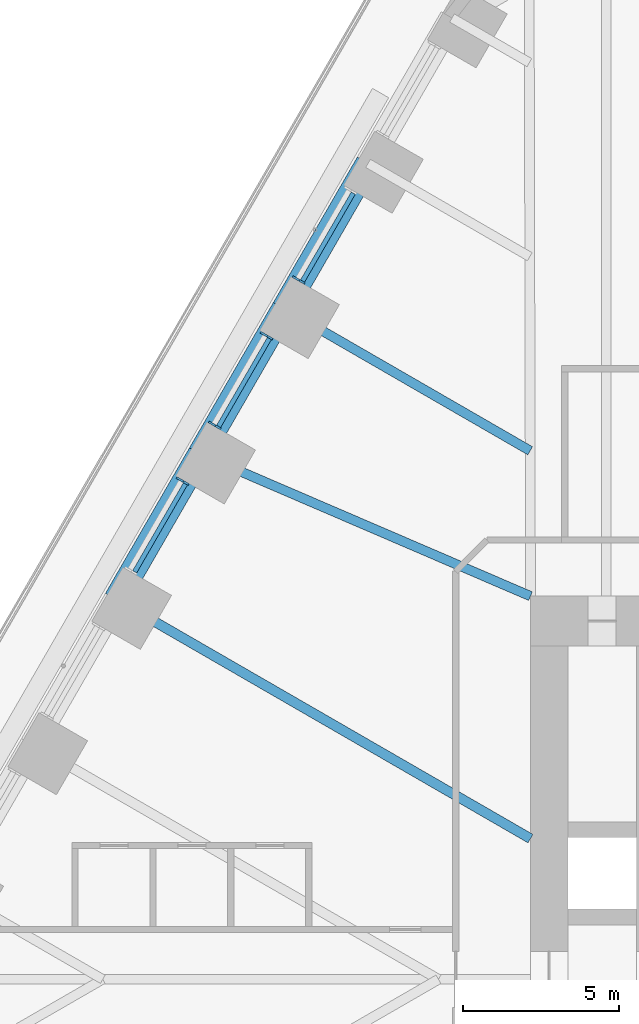
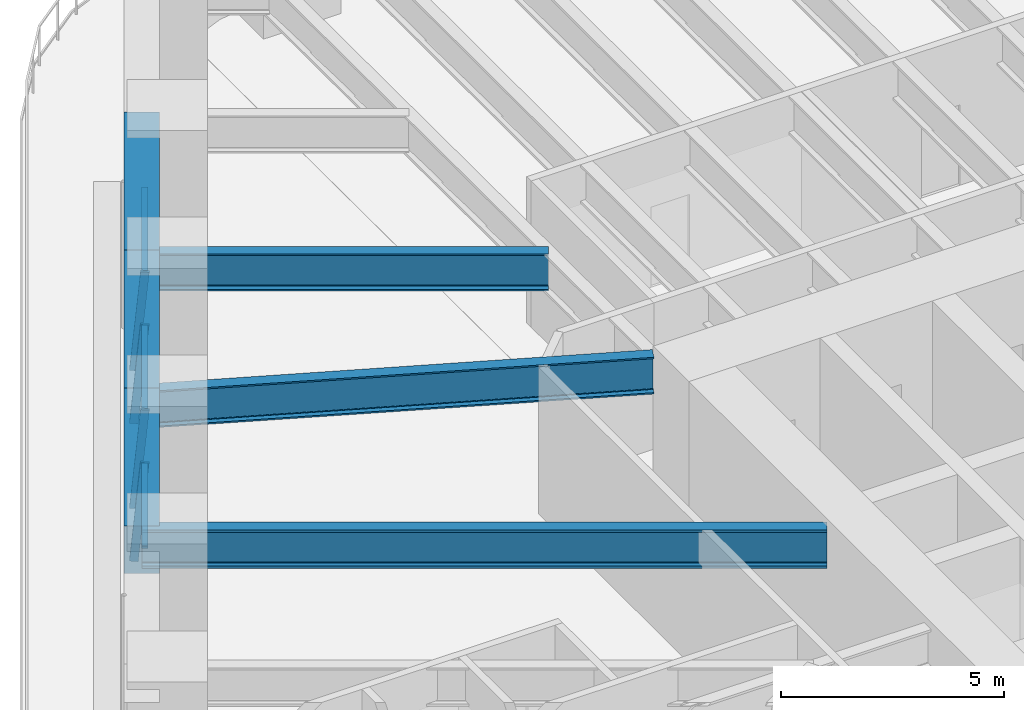
# One storey, part 8 of 23: 7 members, 6 beams, 3 elements without a shape of their own.
"""IFC4 building model written with IfcOpenShell, lengths in metres."""

from ifc_helpers import new_model, si_unit, direction, frame, origin, origin_2d, place, context, subcontext, project, spatial, rectangle, i_section, extrude, material, material_profile, profile_set, type_object, element, aggregate, save


model = new_model("IFC4")

# Units and contexts
model_context = context("Model", 3, precision=1e-05, world=origin(), true_north=direction((0.0, 1.0)))
body_context = subcontext(model_context, "Body", "Model", "MODEL_VIEW")
ifc_project = project(units=[si_unit("LENGTHUNIT", "METRE"), si_unit("AREAUNIT", "SQUARE_METRE"), si_unit("VOLUMEUNIT", "CUBIC_METRE"), si_unit("PLANEANGLEUNIT", "RADIAN"), si_unit("MASSUNIT", "GRAM", prefix="KILO")], contexts=[model_context])

# Site, building, storey
site_placement = place(None, origin())
site = spatial("IfcSite", under=ifc_project, at=site_placement, CompositionType="ELEMENT")
building_placement = place(site_placement, origin())
building = spatial("IfcBuilding", under=site, at=building_placement, Name="Tarfa Lantern Tower", CompositionType="ELEMENT")
storey_placement = place(building_placement, frame((0.0, 0.0, 57.10009765625)))
storey = spatial("IfcBuildingStorey", under=building, at=storey_placement, Name="L12", CompositionType="ELEMENT", Elevation=57.10009765625)

# Curtain wall, member
ifc_material_1 = material(Name="Aluminium framed curtain wall", Category="aluminium")
curtain_wall_type = type_object("IfcCurtainWallType", Name="CW1 CANTED GLAZING LOW ZONE 2700", PredefinedType="USERDEFINED", material=ifc_material_1)
curtain_wall_1_placement = place(storey_placement, origin())
curtain_wall_1 = element("IfcCurtainWall", 1, at=curtain_wall_1_placement, inside=storey, type_object=curtain_wall_type, Name="CW1 NW L12", ObjectType="CURTAIN WALL", PredefinedType="USERDEFINED")
ifc_material_2 = material(Name="Aluminium mullion", Category="aluminium")
ifc_material_profile_1 = material_profile(ifc_material_2, rectangle(XDim=0.06494140625, YDim=0.199951171875, at=origin_2d()), Name="AL MULLION 65x200")
ifc_profile_set_1 = profile_set([ifc_material_profile_1], Name="Aluminium mullion")
member_type_1 = type_object("IfcMemberType", Name="CWM1 MULLION 65x200", PredefinedType="MULLION", material=ifc_profile_set_1)
member_1_placement = place(storey_placement, frame((-26.147705078125, 22.5107421875, 0.0), z_axis=(0.07986442134, -0.046099868913, 0.99573916077), x_axis=(0.499919672301, 0.866071776036, 0.0)))
member_1 = element("IfcMember", 2, at=member_1_placement, type_object=member_type_1, Name="CW1 mullion 2", PredefinedType="MULLION", context=body_context, shape_type="SweptSolid", body=[
    extrude(rectangle(XDim=0.06494140625, YDim=0.199951171875, at=origin_2d()), origin(), (0.0, 0.0, 1.0), 2.71142578125),
])

# Curtain wall, members
curtain_wall_2_placement = place(storey_placement, origin())
curtain_wall_2 = element("IfcCurtainWall", 3, at=curtain_wall_2_placement, inside=storey, type_object=curtain_wall_type, Name="CW1 NW L12", ObjectType="CURTAIN WALL", PredefinedType="USERDEFINED")
member_2_placement = place(storey_placement, frame((-27.18017578125, 20.722412109375, 0.0), z_axis=(0.07986442134, -0.046099868913, 0.99573916077), x_axis=(0.499919672301, 0.866071776036, 0.0)))
member_2 = element("IfcMember", 4, at=member_2_placement, type_object=member_type_1, Name="CW1 mullion 1", PredefinedType="MULLION", context=body_context, shape_type="SweptSolid", body=[
    extrude(rectangle(XDim=0.06494140625, YDim=0.199951171875, at=origin_2d()), origin(), (0.0, 0.0, 1.0), 2.71142578125),
])
member_3_placement = place(storey_placement, frame((-28.842041015625, 17.84423828125, 0.0), z_axis=(0.07986442134, -0.046099868913, 0.99573916077), x_axis=(0.499919672301, 0.866071776036, 0.0)))
member_3 = element("IfcMember", 5, at=member_3_placement, type_object=member_type_1, Name="CW1 mullion 2", PredefinedType="MULLION", context=body_context, shape_type="SweptSolid", body=[
    extrude(rectangle(XDim=0.06494140625, YDim=0.199951171875, at=origin_2d()), origin(), (0.0, 0.0, 1.0), 2.71142578125),
])

# Curtain wall, member
curtain_wall_3_placement = place(storey_placement, origin())
curtain_wall_3 = element("IfcCurtainWall", 6, at=curtain_wall_3_placement, inside=storey, type_object=curtain_wall_type, Name="CW1 NW L12", ObjectType="CURTAIN WALL", PredefinedType="USERDEFINED")
member_4_placement = place(storey_placement, frame((-29.87451171875, 16.055908203125, 0.0), z_axis=(0.07986442134, -0.046099868913, 0.99573916077), x_axis=(0.499919672301, 0.866071776036, 0.0)))
member_4 = element("IfcMember", 7, at=member_4_placement, type_object=member_type_1, Name="CW1 mullion 1", PredefinedType="MULLION", context=body_context, shape_type="SweptSolid", body=[
    extrude(rectangle(XDim=0.06494140625, YDim=0.199951171875, at=origin_2d()), origin(), (0.0, 0.0, 1.0), 2.71142578125),
])

# Member
ifc_material_3 = material(Name="Aluminium transom", Category="aluminium")
ifc_material_profile_2 = material_profile(ifc_material_3, rectangle(XDim=0.14990234375, YDim=0.06494140625, at=origin_2d()), Name="AL TRANSOM 150x65")
ifc_profile_set_2 = profile_set([ifc_material_profile_2], Name="Aluminium transom")
member_type_2 = type_object("IfcMemberType", Name="CWT1 TRANSOM 150x65", PredefinedType="USERDEFINED", material=ifc_profile_set_2)
member_5_placement = place(storey_placement, frame((-24.288330078125, 25.237548828125, 2.66748046875), z_axis=(-0.499966746847, -0.86604460165, 0.0), x_axis=(0.86604460165, -0.499966746847, 0.0)))
member_5 = element("IfcMember", 8, at=member_5_placement, type_object=member_type_2, Name="CW1 transom 1.2", ObjectType="TRANSOM", PredefinedType="USERDEFINED", context=body_context, shape_type="SweptSolid", body=[
    extrude(rectangle(XDim=0.14990234375, YDim=0.06494140625, at=origin_2d()), origin(), (0.0, 0.0, 1.0), 3.258544921875),
])

aggregate(curtain_wall_1, [member_1, member_5])

member_6_placement = place(storey_placement, frame((-26.982666015625, 20.57080078125, 2.66748046875), z_axis=(-0.499966746847, -0.86604460165, 0.0), x_axis=(0.86604460165, -0.499966746847, 0.0)))
member_6 = element("IfcMember", 9, at=member_6_placement, type_object=member_type_2, Name="CW1 transom 1.2", ObjectType="TRANSOM", PredefinedType="USERDEFINED", context=body_context, shape_type="SweptSolid", body=[
    extrude(rectangle(XDim=0.14990234375, YDim=0.06494140625, at=origin_2d()), origin(), (0.0, 0.0, 1.0), 3.258544921875),
])

aggregate(curtain_wall_2, [member_2, member_3, member_6])

member_7_placement = place(storey_placement, frame((-29.6767578125, 15.904296875, 2.66748046875), z_axis=(-0.500022939057, -0.866012159509, 0.0), x_axis=(0.866012159509, -0.500022939057, 0.0)))
member_7 = element("IfcMember", 10, at=member_7_placement, type_object=member_type_2, Name="CW1 transom 1.2", ObjectType="TRANSOM", PredefinedType="USERDEFINED", context=body_context, shape_type="SweptSolid", body=[
    extrude(rectangle(XDim=0.14990234375, YDim=0.06494140625, at=origin_2d()), origin(), (0.0, 0.0, 1.0), 3.258544921875),
])

aggregate(curtain_wall_3, [member_4, member_7])

# Beams
ifc_material_4 = material(Name="Concrete C80/95", Category="concrete")
ifc_material_profile_3 = material_profile(ifc_material_4, rectangle(XDim=0.800048828125, YDim=1.300048828125, at=origin_2d()), Name="RC 800x1300")
ifc_profile_set_3 = profile_set([ifc_material_profile_3], Name="Concrete C80/95")
beam_type_1 = type_object("IfcBeamType", Name="EB1 RC 800x1300", PredefinedType="SPANDREL", material=ifc_profile_set_3)
beam_1_placement = place(storey_placement, frame((-23.813720703125, 26.193359375, 3.349853515625), z_axis=(-0.499998287579, -0.866026392449, 0.0), x_axis=(0.866026392449, -0.499998287579, 0.0)))
element("IfcBeam", 11, at=beam_1_placement, inside=storey, type_object=beam_type_1, Name="Edge beam NW1", PredefinedType="SPANDREL", context=body_context, shape_type="SweptSolid", body=[
    extrude(rectangle(XDim=0.800048828125, YDim=1.300048828125, at=origin_2d()), origin(), (0.0, 0.0, 1.0), 5.388671875),
])
beam_2_placement = place(storey_placement, frame((-26.508056640625, 21.526611328125, 3.349853515625), z_axis=(-0.500017906299, -0.866015065331, 0.0), x_axis=(0.866015065331, -0.500017906299, 0.0)))
element("IfcBeam", 12, at=beam_2_placement, inside=storey, type_object=beam_type_1, Name="Edge beam NW2", PredefinedType="SPANDREL", context=body_context, shape_type="SweptSolid", body=[
    extrude(rectangle(XDim=0.800048828125, YDim=1.300048828125, at=origin_2d()), origin(), (0.0, 0.0, 1.0), 5.388427734375),
])
beam_3_placement = place(storey_placement, frame((-29.202392578125, 16.860107421875, 3.349853515625), z_axis=(-0.499998287579, -0.866026392449, 0.0), x_axis=(0.866026392449, -0.499998287579, 0.0)))
element("IfcBeam", 13, at=beam_3_placement, inside=storey, type_object=beam_type_1, Name="Edge beam NW3", PredefinedType="SPANDREL", context=body_context, shape_type="SweptSolid", body=[
    extrude(rectangle(XDim=0.800048828125, YDim=1.300048828125, at=origin_2d()), origin(), (0.0, 0.0, 1.0), 5.388671875),
])
ifc_material_5 = material(Name="Steel S460M", Category="steel")
ifc_material_profile_4 = material_profile(ifc_material_5, i_section(OverallWidth=0.302001953125, OverallDepth=1.008056640625, WebThickness=0.02099609375, FlangeThickness=0.0400390625, FilletRadius=0.030029296875, at=origin_2d()), Name="UB1016x305x349")
ifc_profile_set_4 = profile_set([ifc_material_profile_4], Name="Steel S460M")
beam_type_2 = type_object("IfcBeamType", Name="UB1016x305x349", PredefinedType="BEAM", material=ifc_profile_set_4)
beam_4_placement = place(storey_placement, frame((-26.508056640625, 21.526611328125, 3.495849609375), z_axis=(0.866035355799, -0.49998276221, 0.0), x_axis=(0.49998276221, 0.866035355799, 0.0)))
element("IfcBeam", 14, at=beam_4_placement, inside=storey, type_object=beam_type_2, Name="Floor beam NW2", PredefinedType="BEAM", context=body_context, shape_type="SweptSolid", body=[
    extrude(i_section(OverallWidth=0.302001953125, OverallDepth=1.008056640625, WebThickness=0.02099609375, FlangeThickness=0.0400390625, FilletRadius=0.030029296875, at=origin_2d()), origin(), (0.0, 0.0, 1.0), 9.119873046875),
])
beam_5_placement = place(storey_placement, frame((-29.202392578125, 16.860107421875, 3.495849609375), z_axis=(0.918635483867, -0.395106122175, 0.0), x_axis=(0.395106122175, 0.918635483867, 0.0)))
element("IfcBeam", 15, at=beam_5_placement, inside=storey, type_object=beam_type_2, Name="Floor beam NW3", PredefinedType="BEAM", context=body_context, shape_type="SweptSolid", body=[
    extrude(i_section(OverallWidth=0.302001953125, OverallDepth=1.008056640625, WebThickness=0.02099609375, FlangeThickness=0.0400390625, FilletRadius=0.030029296875, at=origin_2d()), origin(), (0.0, 0.0, 1.0), 11.541259765625),
])
ifc_material_profile_5 = material_profile(ifc_material_5, i_section(OverallWidth=0.314208984375, OverallDepth=1.055908203125, WebThickness=0.035888671875, FlangeThickness=0.06396484375, FilletRadius=0.030029296875, at=origin_2d()), Name="UB1016x305x584")
ifc_profile_set_5 = profile_set([ifc_material_profile_5], Name="Steel S460M")
beam_type_3 = type_object("IfcBeamType", Name="UB1016x305x584", PredefinedType="BEAM", material=ifc_profile_set_5)
beam_6_placement = place(storey_placement, frame((-31.896728515625, 12.193359375, 3.471923828125), z_axis=(0.866026971665, -0.499997284341, 0.0), x_axis=(0.499997284341, 0.866026971665, 0.0)))
element("IfcBeam", 16, at=beam_6_placement, inside=storey, type_object=beam_type_3, Name="Floor beam NW4", PredefinedType="BEAM", context=body_context, shape_type="SweptSolid", body=[
    extrude(i_section(OverallWidth=0.314208984375, OverallDepth=1.055908203125, WebThickness=0.035888671875, FlangeThickness=0.06396484375, FilletRadius=0.030029296875, at=origin_2d()), origin(), (0.0, 0.0, 1.0), 15.353515625),
])

save(model, "model.ifc")
